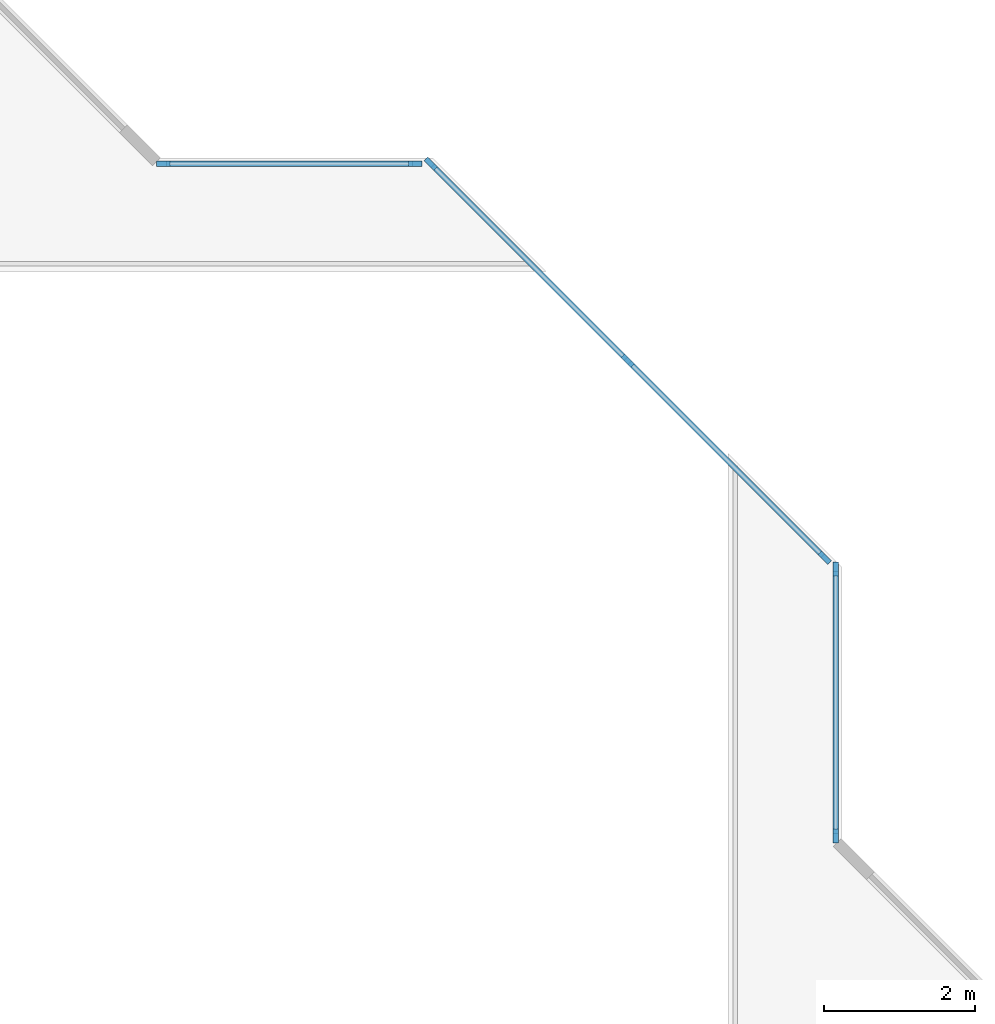
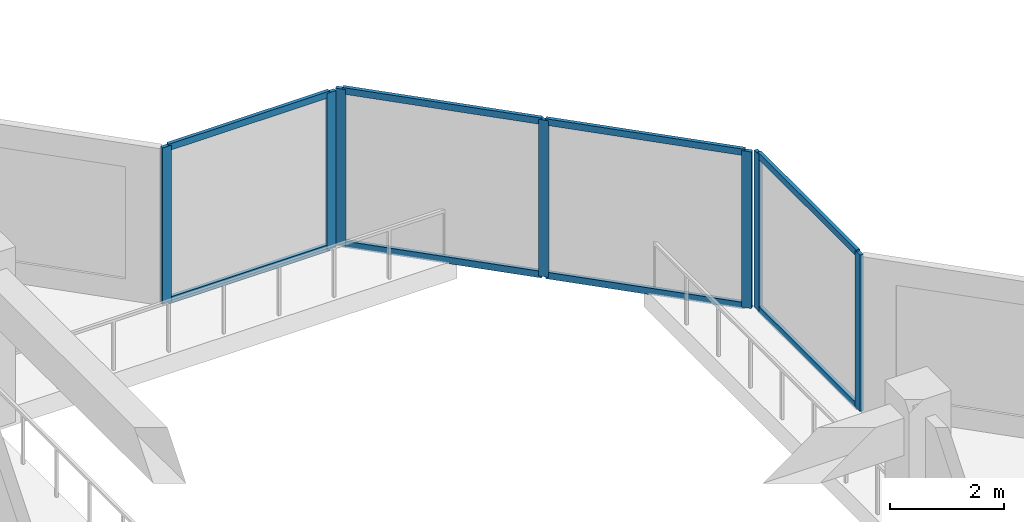
# One storey, part 2 of 14: 15 members, 3 elements without a shape of their own.
"""IFC4 building model written with IfcOpenShell, lengths in metres."""

from ifc_helpers import new_model, si_unit, direction, frame, origin, origin_2d, place, context, subcontext, project, spatial, rectangle, extrude, material, layer, layer_set, material_profile, profile_set, type_object, element, aggregate, save


model = new_model("IFC4")

# Units and contexts
model_context = context("Model", 3, precision=1e-05, world=origin(), true_north=direction((0.0, 1.0)))
body_context = subcontext(model_context, "Body", "Model", "MODEL_VIEW")
ifc_project = project(units=[si_unit("LENGTHUNIT", "METRE"), si_unit("AREAUNIT", "SQUARE_METRE"), si_unit("VOLUMEUNIT", "CUBIC_METRE"), si_unit("PLANEANGLEUNIT", "RADIAN"), si_unit("MASSUNIT", "GRAM", prefix="KILO")], contexts=[model_context])

# Site, building, storey
site_placement = place(None, origin())
site = spatial("IfcSite", under=ifc_project, at=site_placement, CompositionType="ELEMENT")
building_placement = place(site_placement, origin())
building = spatial("IfcBuilding", under=site, at=building_placement, Name="Chenar Terraces", CompositionType="ELEMENT")
storey_placement = place(building_placement, frame((0.0, 0.0, 241.64990234375)))
storey = spatial("IfcBuildingStorey", under=building, at=storey_placement, Name="L57", CompositionType="ELEMENT", Elevation=241.64990234375)

# Curtain wall, members
ifc_material_1 = material(Name="Aluminium framed glazing", Category="aluminium")
ifc_layer = layer(ifc_material_1, 0.14990234375)
ifc_layer_set = layer_set([ifc_layer], Name="Aluminium framed glazing")
curtain_wall_type = type_object("IfcCurtainWallType", Name="Atrium mid-zone curtain wall", PredefinedType="NOTDEFINED", material=ifc_layer_set)
placement = place(storey_placement, origin())
curtain_wall_1 = element("IfcCurtainWall", 1, at=placement, inside=storey, type_object=curtain_wall_type, Name="Atrium mid-zone curtain wall", PredefinedType="NOTDEFINED")
ifc_material_2 = material(Name="Aluminium", Category="aluminium")
ifc_material_profile_1 = material_profile(ifc_material_2, rectangle(XDim=0.070068359375, YDim=0.179931640625, at=origin_2d()), Name="Atrium mid-zone glazing mullion 70 x 180")
ifc_profile_set_1 = profile_set([ifc_material_profile_1], Name="Aluminium")
member_type_1 = type_object("IfcMemberType", Name="Atrium mid-zone glazing mullion 70 x 180", PredefinedType="MULLION", material=ifc_profile_set_1)
member_1_placement = place(storey_placement, frame((37.425048828125, 28.534912109375, 0.0), z_axis=(0.0, 0.0, 1.0), x_axis=(-1.0, 0.0, 0.0)))
member_1 = element("IfcMember", 2, at=member_1_placement, type_object=member_type_1, Name="CW7-1 mullion 1", PredefinedType="MULLION", context=body_context, shape_type="SweptSolid", body=[
    extrude(rectangle(XDim=0.070068359375, YDim=0.179931640625, at=origin_2d()), origin(), (0.0, 0.0, 1.0), 3.35009765625),
])
member_2_placement = place(storey_placement, frame((37.425048828125, 32.06494140625, 0.0), z_axis=(0.0, 0.0, 1.0), x_axis=(-1.0, 0.0, 0.0)))
member_2 = element("IfcMember", 3, at=member_2_placement, type_object=member_type_1, Name="CW7-1 mullion 2", PredefinedType="MULLION", context=body_context, shape_type="SweptSolid", body=[
    extrude(rectangle(XDim=0.070068359375, YDim=0.179931640625, at=origin_2d()), origin(), (0.0, 0.0, 1.0), 3.35009765625),
])

curtain_wall_2 = element("IfcCurtainWall", 4, at=placement, inside=storey, type_object=curtain_wall_type, Name="Atrium mid-zone curtain wall", PredefinedType="NOTDEFINED")
member_3_placement = place(storey_placement, frame((37.28076171875, 32.213134765625, 0.0), z_axis=(0.0, 0.0, 1.0), x_axis=(-0.707106781187, -0.707106781187, 0.0)))
member_3 = element("IfcMember", 5, at=member_3_placement, type_object=member_type_1, Name="CW7-2 mullion 1", PredefinedType="MULLION", context=body_context, shape_type="SweptSolid", body=[
    extrude(rectangle(XDim=0.070068359375, YDim=0.179931640625, at=origin_2d()), origin(), (0.0, 0.0, 1.0), 3.35009765625),
])
member_4_placement = place(storey_placement, frame((34.67626953125, 34.817626953125, 0.0), z_axis=(0.0, 0.0, 1.0), x_axis=(-0.707106781187, -0.707106781187, 0.0)))
member_4 = element("IfcMember", 6, at=member_4_placement, type_object=member_type_1, Name="CW7-2 mullion 2", PredefinedType="MULLION", context=body_context, shape_type="SweptSolid", body=[
    extrude(rectangle(XDim=0.070068359375, YDim=0.179931640625, at=origin_2d()), origin(), (0.0, 0.0, 1.0), 3.35009765625),
])
member_5_placement = place(storey_placement, frame((32.07177734375, 37.42236328125, 0.0), z_axis=(0.0, 0.0, 1.0), x_axis=(-0.707106781187, -0.707106781187, 0.0)))
member_5 = element("IfcMember", 7, at=member_5_placement, type_object=member_type_1, Name="CW7-2 mullion 3", PredefinedType="MULLION", context=body_context, shape_type="SweptSolid", body=[
    extrude(rectangle(XDim=0.070068359375, YDim=0.179931640625, at=origin_2d()), origin(), (0.0, 0.0, 1.0), 3.35009765625),
])

curtain_wall_3 = element("IfcCurtainWall", 8, at=placement, inside=storey, type_object=curtain_wall_type, Name="Atrium mid-zone curtain wall", PredefinedType="NOTDEFINED")
member_6_placement = place(storey_placement, frame((31.864990234375, 37.425048828125, 0.0), z_axis=(0.0, 0.0, 1.0), x_axis=(0.0, -1.0, 0.0)))
member_6 = element("IfcMember", 9, at=member_6_placement, type_object=member_type_1, Name="CW7-3 mullion 1", PredefinedType="MULLION", context=body_context, shape_type="SweptSolid", body=[
    extrude(rectangle(XDim=0.070068359375, YDim=0.179931640625, at=origin_2d()), origin(), (0.0, 0.0, 1.0), 3.35009765625),
])
member_7_placement = place(storey_placement, frame((28.534912109375, 37.425048828125, 0.0), z_axis=(0.0, 0.0, 1.0), x_axis=(0.0, -1.0, 0.0)))
member_7 = element("IfcMember", 10, at=member_7_placement, type_object=member_type_1, Name="CW7-3 mullion 2", PredefinedType="MULLION", context=body_context, shape_type="SweptSolid", body=[
    extrude(rectangle(XDim=0.070068359375, YDim=0.179931640625, at=origin_2d()), origin(), (0.0, 0.0, 1.0), 3.35009765625),
])

# Member
ifc_material_3 = material(Name="Aluminium", Category="aluminium")
ifc_material_profile_2 = material_profile(ifc_material_3, rectangle(XDim=0.070068359375, YDim=0.139892578125, at=origin_2d()), Name="Atrium mid-zone glazing transom 70 x 140")
ifc_profile_set_2 = profile_set([ifc_material_profile_2], Name="Aluminium")
member_type_2 = type_object("IfcMemberType", Name="Atrium mid-zone glazing transom 70 x 140", PredefinedType="USERDEFINED", material=ifc_profile_set_2)
member_8_placement = place(storey_placement, frame((37.425048828125, 28.570068359375, 0.03515625), z_axis=(0.0, 1.0, 0.0), x_axis=(-1.0, 0.0, 0.0)))
member_8 = element("IfcMember", 11, at=member_8_placement, type_object=member_type_2, Name="CW7-1 transom 1.1", ObjectType="TRANSOM", PredefinedType="USERDEFINED", context=body_context, shape_type="SweptSolid", body=[
    extrude(rectangle(XDim=0.070068359375, YDim=0.139892578125, at=origin_2d()), origin(), (0.0, 0.0, 1.0), 3.4599609375),
])

member_9_placement = place(storey_placement, frame((37.425048828125, 28.570068359375, 3.315185546875), z_axis=(0.0, 1.0, 0.0), x_axis=(-1.0, 0.0, 0.0)))
member_9 = element("IfcMember", 12, at=member_9_placement, type_object=member_type_2, Name="CW7-1 transom 1.2", ObjectType="TRANSOM", PredefinedType="USERDEFINED", context=body_context, shape_type="SweptSolid", body=[
    extrude(rectangle(XDim=0.070068359375, YDim=0.139892578125, at=origin_2d()), origin(), (0.0, 0.0, 1.0), 3.4599609375),
])

aggregate(curtain_wall_1, [member_1, member_2, member_8, member_9])

member_10_placement = place(storey_placement, frame((37.256103515625, 32.23779296875, 0.03515625), z_axis=(-0.707106781187, 0.707106781187, 0.0), x_axis=(-0.707106781187, -0.707106781187, 0.0)))
member_10 = element("IfcMember", 13, at=member_10_placement, type_object=member_type_2, Name="CW7-2 transom 1.1", ObjectType="TRANSOM", PredefinedType="USERDEFINED", context=body_context, shape_type="SweptSolid", body=[
    extrude(rectangle(XDim=0.070068359375, YDim=0.139892578125, at=origin_2d()), origin(), (0.0, 0.0, 1.0), 3.613525390625),
])

member_11_placement = place(storey_placement, frame((37.256103515625, 32.23779296875, 3.315185546875), z_axis=(-0.707106781187, 0.707106781187, 0.0), x_axis=(-0.707106781187, -0.707106781187, 0.0)))
member_11 = element("IfcMember", 14, at=member_11_placement, type_object=member_type_2, Name="CW7-2 transom 1.2", ObjectType="TRANSOM", PredefinedType="USERDEFINED", context=body_context, shape_type="SweptSolid", body=[
    extrude(rectangle(XDim=0.070068359375, YDim=0.139892578125, at=origin_2d()), origin(), (0.0, 0.0, 1.0), 3.613525390625),
])

member_12_placement = place(storey_placement, frame((34.651611328125, 34.842529296875, 0.03515625), z_axis=(-0.707140563131, 0.707072997628, 0.0), x_axis=(-0.707072997628, -0.707140563131, 0.0)))
member_12 = element("IfcMember", 15, at=member_12_placement, type_object=member_type_2, Name="CW7-2 transom 2.1", ObjectType="TRANSOM", PredefinedType="USERDEFINED", context=body_context, shape_type="SweptSolid", body=[
    extrude(rectangle(XDim=0.070068359375, YDim=0.139892578125, at=origin_2d()), origin(), (0.0, 0.0, 1.0), 3.61328125),
])

member_13_placement = place(storey_placement, frame((34.651611328125, 34.842529296875, 3.315185546875), z_axis=(-0.707140563131, 0.707072997628, 0.0), x_axis=(-0.707072997628, -0.707140563131, 0.0)))
member_13 = element("IfcMember", 16, at=member_13_placement, type_object=member_type_2, Name="CW7-2 transom 2.2", ObjectType="TRANSOM", PredefinedType="USERDEFINED", context=body_context, shape_type="SweptSolid", body=[
    extrude(rectangle(XDim=0.070068359375, YDim=0.139892578125, at=origin_2d()), origin(), (0.0, 0.0, 1.0), 3.61328125),
])

aggregate(curtain_wall_2, [member_3, member_4, member_5, member_10, member_11, member_12, member_13])

member_14_placement = place(storey_placement, frame((31.830078125, 37.425048828125, 0.03515625), z_axis=(-1.0, 0.0, 0.0), x_axis=(0.0, -1.0, 0.0)))
member_14 = element("IfcMember", 17, at=member_14_placement, type_object=member_type_2, Name="CW7-3 transom 1.1", ObjectType="TRANSOM", PredefinedType="USERDEFINED", context=body_context, shape_type="SweptSolid", body=[
    extrude(rectangle(XDim=0.070068359375, YDim=0.139892578125, at=origin_2d()), origin(), (0.0, 0.0, 1.0), 3.260009765625),
])

member_15_placement = place(storey_placement, frame((31.830078125, 37.425048828125, 3.315185546875), z_axis=(-1.0, 0.0, 0.0), x_axis=(0.0, -1.0, 0.0)))
member_15 = element("IfcMember", 18, at=member_15_placement, type_object=member_type_2, Name="CW7-3 transom 1.2", ObjectType="TRANSOM", PredefinedType="USERDEFINED", context=body_context, shape_type="SweptSolid", body=[
    extrude(rectangle(XDim=0.070068359375, YDim=0.139892578125, at=origin_2d()), origin(), (0.0, 0.0, 1.0), 3.260009765625),
])

aggregate(curtain_wall_3, [member_6, member_7, member_14, member_15])

save(model, "model.ifc")
